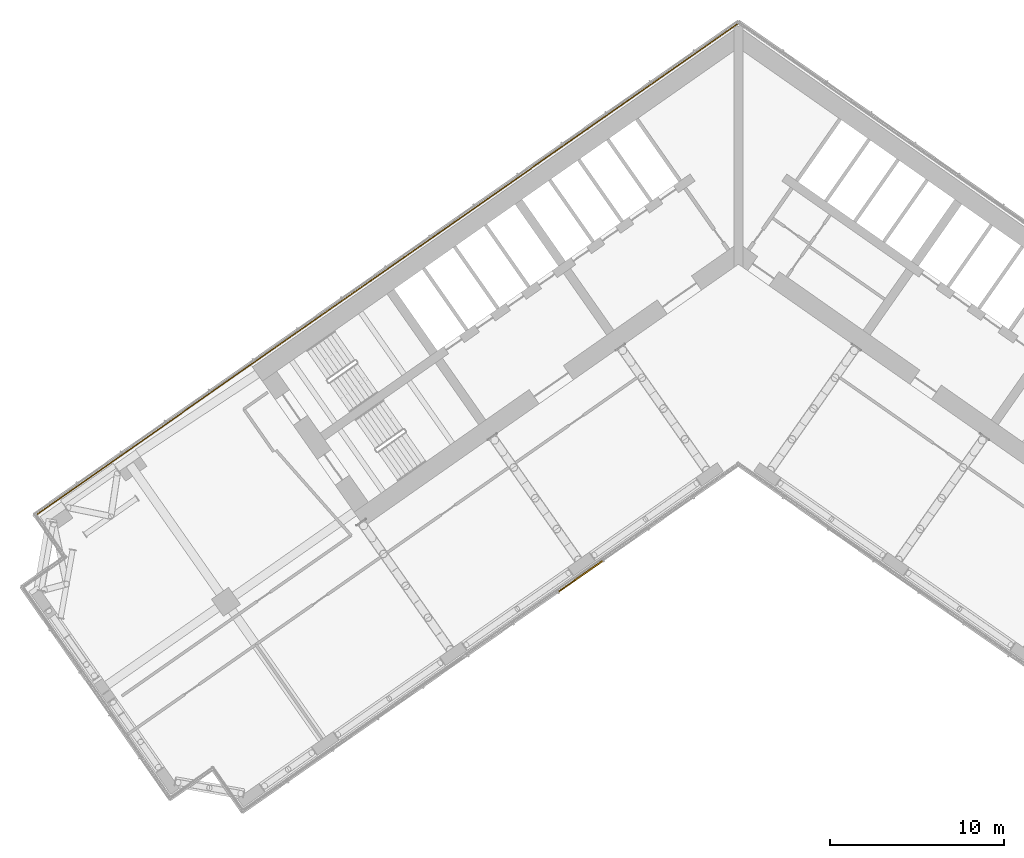
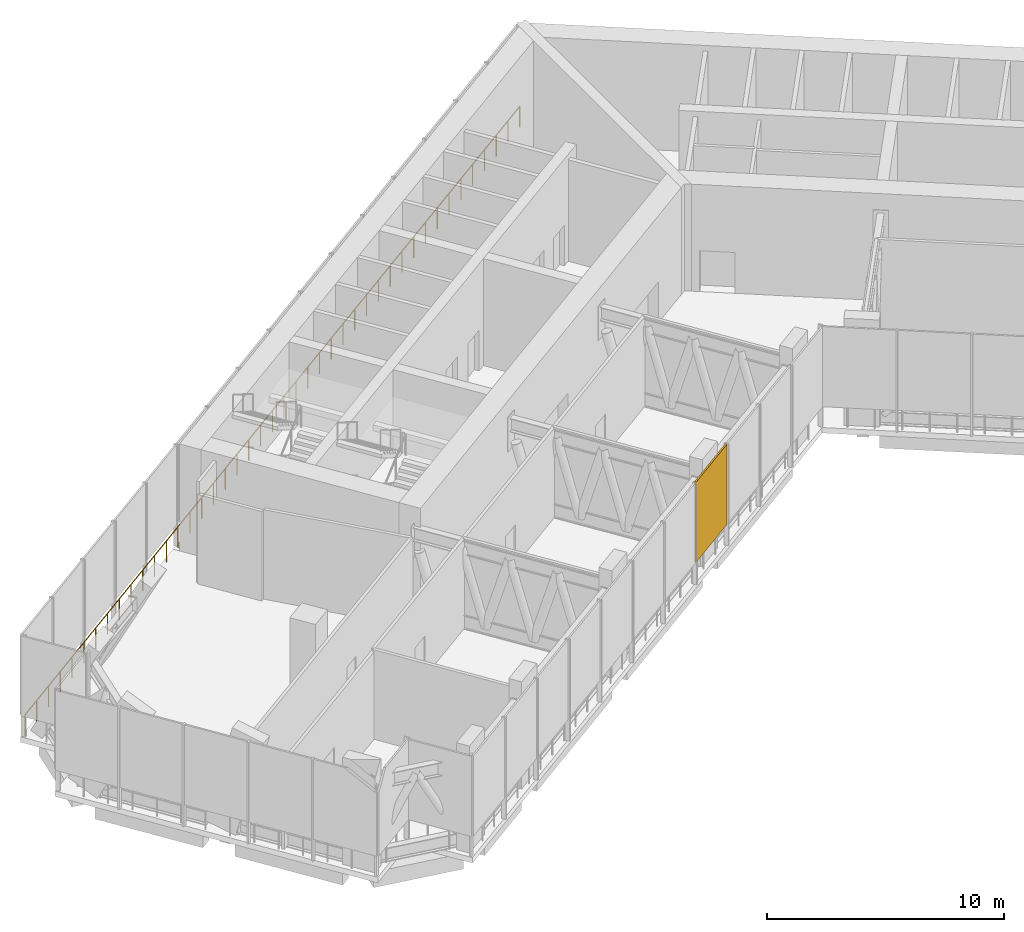
# One storey, part 19 of 24: 1 railing, 1 shading device.
"""IFC4 building model written with IfcOpenShell, lengths in metres."""

from ifc_helpers import new_model, si_unit, direction, frame, origin, origin_2d, place, context, subcontext, project, spatial, rectangle, circle, extrude, material, layer, layer_set, type_object, element, save


model = new_model("IFC4")

# Units and contexts
model_context = context("Model", 3, precision=1e-05, world=origin(), true_north=direction((0.0, 1.0)))
body_context = subcontext(model_context, "Body", "Model", "MODEL_VIEW")
ifc_project = project(units=[si_unit("LENGTHUNIT", "METRE"), si_unit("AREAUNIT", "SQUARE_METRE"), si_unit("VOLUMEUNIT", "CUBIC_METRE"), si_unit("PLANEANGLEUNIT", "RADIAN"), si_unit("MASSUNIT", "GRAM", prefix="KILO")], contexts=[model_context])

# Site, building, storey
site_placement = place(None, origin())
site = spatial("IfcSite", under=ifc_project, at=site_placement, CompositionType="ELEMENT")
building_placement = place(site_placement, origin())
building = spatial("IfcBuilding", under=site, at=building_placement, Name="Tel Ilan Convention Tower", CompositionType="ELEMENT")
storey_placement = place(building_placement, frame((0.0, 0.0, 126.5)))
storey = spatial("IfcBuildingStorey", under=building, at=storey_placement, Name="L28", CompositionType="ELEMENT", Elevation=126.5)

# Shading device
ifc_material_1 = material(Name="Perforated aluminium sheet, bronze anodised", Category="aluminium")
ifc_layer = layer(ifc_material_1, 0.080078125)
ifc_layer_set = layer_set([ifc_layer], Name="PERFORATED SCREEN 80")
shading_device_type = type_object("IfcShadingDeviceType", Name="PERFORATED SCREEN 80", PredefinedType="USERDEFINED", material=ifc_layer_set)
shading_device_placement = place(storey_placement, frame((-9.082763671875, -19.177978515625, 1.099853515625), z_axis=(0.0, 0.0, 1.0), x_axis=(0.819152044289, 0.573576436351, 0.0)))
element("IfcShadingDevice", 1, at=shading_device_placement, inside=storey, type_object=shading_device_type, Name="SCREEN", ObjectType="SCREEN", PredefinedType="USERDEFINED", context=body_context, shape_type="SweptSolid", body=[
    extrude(rectangle(XDim=3.10791015625, YDim=0.080078125, at=origin_2d()), origin(), (0.0, 0.0, 1.0), 4.1201171875),
])

# Railing
ifc_material_2 = material(Name="Stainless steel S316", Category="steel")
railing_type = type_object("IfcRailingType", Name="REFUGE EDGE GUARD 1100", PredefinedType="GUARDRAIL", material=ifc_material_2)
railing_placement = place(storey_placement, frame((-40.395751953125, -15.63818359375, 0.0)))
element("IfcRailing", 2, at=railing_placement, inside=storey, type_object=railing_type, Name="Refuge edge guard 22.R06", PredefinedType="GUARDRAIL", context=body_context, shape_type="SweptSolid", body=[
    extrude(circle(Radius=0.02490234375, at=origin_2d()), frame((0.0, 0.0, 1.0751953125), z_axis=(0.819152136122, 0.5735763052, 0.0), x_axis=(-0.5735763052, 0.819152136122, 0.0)), (0.0, 0.0, 1.0), 49.314208984375),
    extrude(circle(Radius=0.02490234375, at=origin_2d()), origin(), (0.0, 0.0, 1.0), 1.050048828125),
    extrude(circle(Radius=0.02490234375, at=origin_2d()), frame((0.9619140625, 0.67333984375, 0.0)), (0.0, 0.0, 1.0), 1.050048828125),
    extrude(circle(Radius=0.02490234375, at=origin_2d()), frame((1.923583984375, 1.346923828125, 0.0)), (0.0, 0.0, 1.0), 1.050048828125),
    extrude(circle(Radius=0.02490234375, at=origin_2d()), frame((2.885498046875, 2.0205078125, 0.0)), (0.0, 0.0, 1.0), 1.050048828125),
    extrude(circle(Radius=0.02490234375, at=origin_2d()), frame((3.84716796875, 2.69384765625, 0.0)), (0.0, 0.0, 1.0), 1.050048828125),
    extrude(circle(Radius=0.02490234375, at=origin_2d()), frame((4.80908203125, 3.3671875, 0.0)), (0.0, 0.0, 1.0), 1.050048828125),
    extrude(circle(Radius=0.02490234375, at=origin_2d()), frame((5.770751953125, 4.040771484375, 0.0)), (0.0, 0.0, 1.0), 1.050048828125),
    extrude(circle(Radius=0.02490234375, at=origin_2d()), frame((6.732666015625, 4.71435546875, 0.0)), (0.0, 0.0, 1.0), 1.050048828125),
    extrude(circle(Radius=0.02490234375, at=origin_2d()), frame((7.6943359375, 5.3876953125, 0.0)), (0.0, 0.0, 1.0), 1.050048828125),
    extrude(circle(Radius=0.02490234375, at=origin_2d()), frame((8.65625, 6.06103515625, 0.0)), (0.0, 0.0, 1.0), 1.050048828125),
    extrude(circle(Radius=0.02490234375, at=origin_2d()), frame((9.617919921875, 6.734619140625, 0.0)), (0.0, 0.0, 1.0), 1.050048828125),
    extrude(circle(Radius=0.02490234375, at=origin_2d()), frame((10.579833984375, 7.408203125, 0.0)), (0.0, 0.0, 1.0), 1.050048828125),
    extrude(circle(Radius=0.02490234375, at=origin_2d()), frame((11.541748046875, 8.08154296875, 0.0)), (0.0, 0.0, 1.0), 1.050048828125),
    extrude(circle(Radius=0.02490234375, at=origin_2d()), frame((12.50341796875, 8.7548828125, 0.0)), (0.0, 0.0, 1.0), 1.050048828125),
    extrude(circle(Radius=0.02490234375, at=origin_2d()), frame((13.46533203125, 9.428466796875, 0.0)), (0.0, 0.0, 1.0), 1.050048828125),
    extrude(circle(Radius=0.02490234375, at=origin_2d()), frame((14.427001953125, 10.10205078125, 0.0)), (0.0, 0.0, 1.0), 1.050048828125),
    extrude(circle(Radius=0.02490234375, at=origin_2d()), frame((15.388916015625, 10.775390625, 0.0)), (0.0, 0.0, 1.0), 1.050048828125),
    extrude(circle(Radius=0.02490234375, at=origin_2d()), frame((16.3505859375, 11.44873046875, 0.0)), (0.0, 0.0, 1.0), 1.050048828125),
    extrude(circle(Radius=0.02490234375, at=origin_2d()), frame((17.3125, 12.122314453125, 0.0)), (0.0, 0.0, 1.0), 1.050048828125),
    extrude(circle(Radius=0.02490234375, at=origin_2d()), frame((18.274169921875, 12.7958984375, 0.0)), (0.0, 0.0, 1.0), 1.050048828125),
    extrude(circle(Radius=0.02490234375, at=origin_2d()), frame((19.236083984375, 13.46923828125, 0.0)), (0.0, 0.0, 1.0), 1.050048828125),
    extrude(circle(Radius=0.02490234375, at=origin_2d()), frame((20.19775390625, 14.142578125, 0.0)), (0.0, 0.0, 1.0), 1.050048828125),
    extrude(circle(Radius=0.02490234375, at=origin_2d()), frame((21.15966796875, 14.816162109375, 0.0)), (0.0, 0.0, 1.0), 1.050048828125),
    extrude(circle(Radius=0.02490234375, at=origin_2d()), frame((22.12158203125, 15.48974609375, 0.0)), (0.0, 0.0, 1.0), 1.050048828125),
    extrude(circle(Radius=0.02490234375, at=origin_2d()), frame((23.083251953125, 16.1630859375, 0.0)), (0.0, 0.0, 1.0), 1.050048828125),
    extrude(circle(Radius=0.02490234375, at=origin_2d()), frame((24.045166015625, 16.83642578125, 0.0)), (0.0, 0.0, 1.0), 1.050048828125),
    extrude(circle(Radius=0.02490234375, at=origin_2d()), frame((25.0068359375, 17.510009765625, 0.0)), (0.0, 0.0, 1.0), 1.050048828125),
    extrude(circle(Radius=0.02490234375, at=origin_2d()), frame((25.96875, 18.18359375, 0.0)), (0.0, 0.0, 1.0), 1.050048828125),
    extrude(circle(Radius=0.02490234375, at=origin_2d()), frame((26.930419921875, 18.85693359375, 0.0)), (0.0, 0.0, 1.0), 1.050048828125),
    extrude(circle(Radius=0.02490234375, at=origin_2d()), frame((27.892333984375, 19.5302734375, 0.0)), (0.0, 0.0, 1.0), 1.050048828125),
    extrude(circle(Radius=0.02490234375, at=origin_2d()), frame((28.85400390625, 20.203857421875, 0.0)), (0.0, 0.0, 1.0), 1.050048828125),
    extrude(circle(Radius=0.02490234375, at=origin_2d()), frame((29.81591796875, 20.87744140625, 0.0)), (0.0, 0.0, 1.0), 1.050048828125),
    extrude(circle(Radius=0.02490234375, at=origin_2d()), frame((30.77783203125, 21.55078125, 0.0)), (0.0, 0.0, 1.0), 1.050048828125),
    extrude(circle(Radius=0.02490234375, at=origin_2d()), frame((31.739501953125, 22.22412109375, 0.0)), (0.0, 0.0, 1.0), 1.050048828125),
    extrude(circle(Radius=0.02490234375, at=origin_2d()), frame((32.701416015625, 22.897705078125, 0.0)), (0.0, 0.0, 1.0), 1.050048828125),
    extrude(circle(Radius=0.02490234375, at=origin_2d()), frame((33.6630859375, 23.5712890625, 0.0)), (0.0, 0.0, 1.0), 1.050048828125),
    extrude(circle(Radius=0.02490234375, at=origin_2d()), frame((34.625, 24.24462890625, 0.0)), (0.0, 0.0, 1.0), 1.050048828125),
    extrude(circle(Radius=0.02490234375, at=origin_2d()), frame((35.586669921875, 24.91796875, 0.0)), (0.0, 0.0, 1.0), 1.050048828125),
    extrude(circle(Radius=0.02490234375, at=origin_2d()), frame((36.548583984375, 25.591552734375, 0.0)), (0.0, 0.0, 1.0), 1.050048828125),
    extrude(circle(Radius=0.02490234375, at=origin_2d()), frame((37.51025390625, 26.26513671875, 0.0)), (0.0, 0.0, 1.0), 1.050048828125),
    extrude(circle(Radius=0.02490234375, at=origin_2d()), frame((38.47216796875, 26.9384765625, 0.0)), (0.0, 0.0, 1.0), 1.050048828125),
    extrude(circle(Radius=0.02490234375, at=origin_2d()), frame((39.433837890625, 27.61181640625, 0.0)), (0.0, 0.0, 1.0), 1.050048828125),
    extrude(circle(Radius=0.02490234375, at=origin_2d()), frame((40.395751953125, 28.285400390625, 0.0)), (0.0, 0.0, 1.0), 1.050048828125),
])

save(model, "model.ifc")
